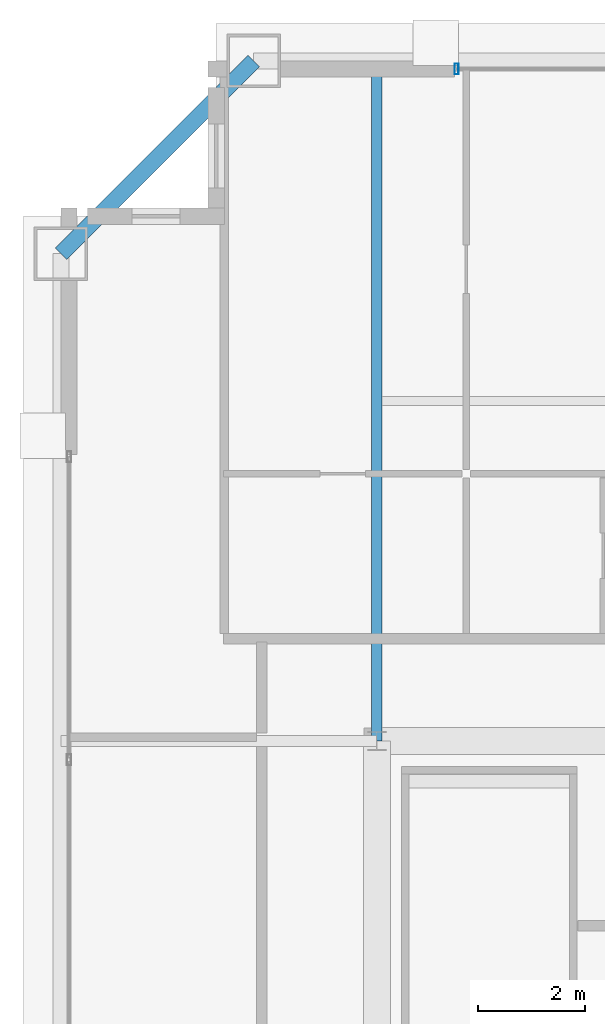
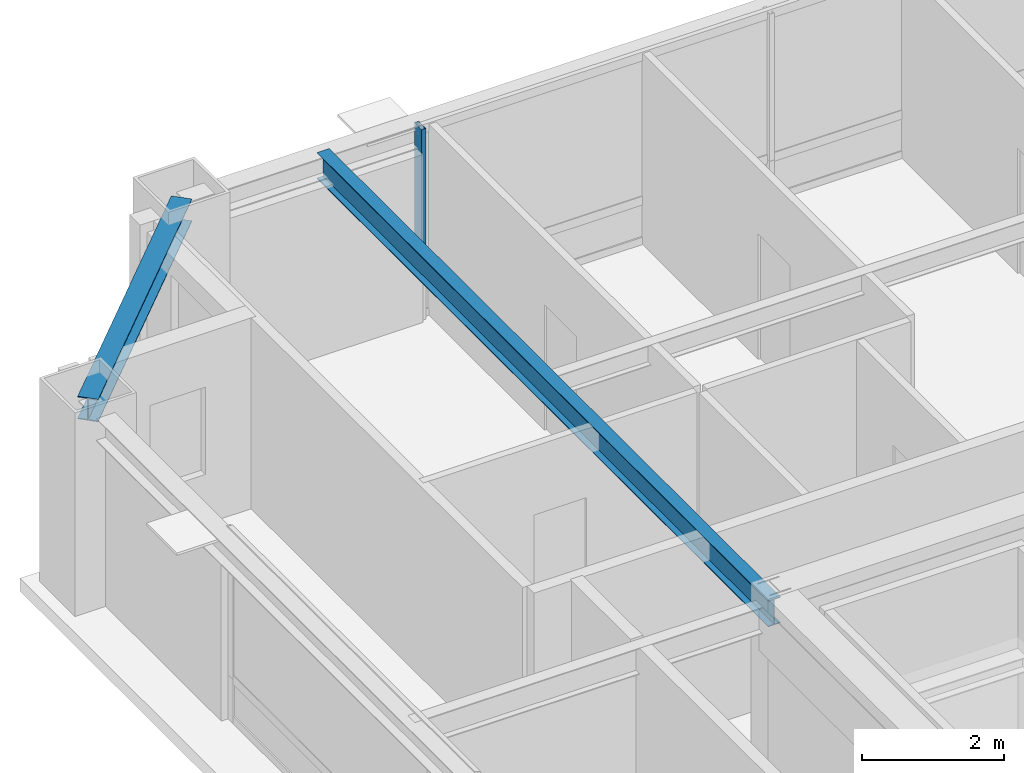
# One storey, part 16 of 35: 2 beams, 1 member, 1 element without a shape of its own.
"""IFC4 building model written with IfcOpenShell, lengths in metres."""

from ifc_helpers import new_model, si_unit, direction, frame, origin, origin_2d, place, context, subcontext, project, spatial, hollow_rectangle, i_section, extrude, source, transform, mapped, material, layer, layer_set, material_profile, profile_set, type_object, element, aggregate, save


model = new_model("IFC4")

# Units and contexts
model_context = context("Model", 3, precision=1e-05, world=origin(), true_north=direction((0.0, 1.0)))
body_context = subcontext(model_context, "Body", "Model", "MODEL_VIEW")
ifc_project = project(units=[si_unit("LENGTHUNIT", "METRE"), si_unit("AREAUNIT", "SQUARE_METRE"), si_unit("VOLUMEUNIT", "CUBIC_METRE"), si_unit("PLANEANGLEUNIT", "RADIAN"), si_unit("MASSUNIT", "GRAM", prefix="KILO"), si_unit("THERMODYNAMICTEMPERATUREUNIT", "KELVIN"), si_unit("POWERUNIT", "WATT")], contexts=[model_context])

# Site, building, storey
site_placement = place(None, origin())
site = spatial("IfcSite", under=ifc_project, at=site_placement, CompositionType="ELEMENT")
building_placement = place(site_placement, origin())
building = spatial("IfcBuilding", under=site, at=building_placement, Name="Yuzanri Waterfront Tower", CompositionType="ELEMENT")
storey_placement = place(building_placement, frame((0.0, 0.0, 289.10009765625)))
storey = spatial("IfcBuildingStorey", under=building, at=storey_placement, Name="L77", CompositionType="ELEMENT", Elevation=289.10009765625)

# Beams
ifc_material_1 = material(Name="Steel Q355B", Category="steel")
ifc_material_profile_1 = material_profile(ifc_material_1, i_section(OverallWidth=0.300048828125, OverallDepth=0.389892578125, WebThickness=0.010009765625, FlangeThickness=0.01611328125, at=origin_2d()), Name="HM 390x300x10x16")
ifc_profile_set_1 = profile_set([ifc_material_profile_1], Name="Steel Q355B")
beam_type_1 = type_object("IfcBeamType", Name="Perimeter Spandrel Q355B HM 390x300", PredefinedType="SPANDREL", material=ifc_profile_set_1)
shared_shape_1 = source(origin(), body_context, "Body", "SweptSolid", [
    extrude(i_section(OverallWidth=0.300048828125, OverallDepth=0.389892578125, WebThickness=0.010009765625, FlangeThickness=0.01611328125, at=origin_2d()), origin(), (0.0, 0.0, 1.0), 5.091064453125),
])
beam_1_placement = place(storey_placement, frame((21.5, 44.89990234375, 3.0849609375), z_axis=(-0.707130757816, -0.707082803744, 0.0), x_axis=(0.707082803744, -0.707130757816, 0.0)))
element("IfcBeam", 1, at=beam_1_placement, inside=storey, type_object=beam_type_1, Name="L77 Perimeter Spandrel N1-W3", PredefinedType="SPANDREL", context=body_context, shape_type="MappedRepresentation", body=[
    mapped(shared_shape_1, transform((0.0, 0.0, 0.0), scale=1.0)),
])
ifc_material_2 = material(Name="Steel Q355B", Category="steel")
ifc_material_profile_2 = material_profile(ifc_material_2, i_section(OverallWidth=0.199951171875, OverallDepth=0.449951171875, WebThickness=0.009033203125, FlangeThickness=0.013916015625, at=origin_2d()), Name="HN 450x200x9x14")
ifc_profile_set_2 = profile_set([ifc_material_profile_2], Name="Steel Q355B")
beam_type_2 = type_object("IfcBeamType", Name="Secondary Floor Beam Q355B HN 450x200", PredefinedType="BEAM", material=ifc_profile_set_2)
shared_shape_2 = source(origin(), body_context, "Body", "SweptSolid", [
    extrude(i_section(OverallWidth=0.199951171875, OverallDepth=0.449951171875, WebThickness=0.009033203125, FlangeThickness=0.013916015625, at=origin_2d()), origin(), (0.0, 0.0, 1.0), 12.699951171875),
])
beam_2_placement = place(storey_placement, frame((23.800048828125, 32.199951171875, 3.054931640625), z_axis=(0.0, 1.0, 0.0), x_axis=(-1.0, 0.0, 0.0)))
element("IfcBeam", 2, at=beam_2_placement, inside=storey, type_object=beam_type_2, Name="L77 North-West Core Line Beam", PredefinedType="BEAM", context=body_context, shape_type="MappedRepresentation", body=[
    mapped(shared_shape_2, transform((0.0, 0.0, 0.0), scale=1.0)),
])

# Curtain wall, member
ifc_material_3 = material(Name="Anodized Architectural Bronze", Category="metal")
ifc_layer = layer(ifc_material_3, 0.159912109375)
ifc_layer_set = layer_set([ifc_layer], Name="Anodized Architectural Bronze")
curtain_wall_type = type_object("IfcCurtainWallType", Name="Anodized Bronze High-Rise Penthouse High-Wind Unitized Curtain Wall 6900", PredefinedType="NOTDEFINED", material=ifc_layer_set)
curtain_wall_placement = place(storey_placement, origin())
curtain_wall = element("IfcCurtainWall", 3, at=curtain_wall_placement, inside=storey, type_object=curtain_wall_type, Name="L77 Curtain Wall CW-L77-NL", PredefinedType="NOTDEFINED")
ifc_material_4 = material(Name="Anodized Architectural Bronze", Category="metal")
ifc_material_profile_3 = material_profile(ifc_material_4, hollow_rectangle(XDim=0.074951171875, YDim=0.199951171875, WallThickness=0.00390625, at=origin_2d()), Name="CWM 75x200")
ifc_profile_set_3 = profile_set([ifc_material_profile_3], Name="Anodized Architectural Bronze")
member_type = type_object("IfcMemberType", Name="Anodized Bronze Primary Curtain-Wall Mullion 75x200", PredefinedType="MULLION", material=ifc_profile_set_3)
shared_shape_3 = source(origin(), body_context, "Body", "SweptSolid", [
    extrude(hollow_rectangle(XDim=0.074951171875, YDim=0.199951171875, WallThickness=0.00390625, at=origin_2d()), origin(), (0.0, 0.0, 1.0), 2.52392578125),
])
member_placement = place(storey_placement, frame((25.2900390625, 44.75, 0.755859375), z_axis=(0.0, 0.0, 1.0), x_axis=(1.0, 0.0, 0.0)))
member = element("IfcMember", 4, at=member_placement, type_object=member_type, Name="CW-L77-NL Upper Mullion 00", PredefinedType="MULLION", context=body_context, shape_type="MappedRepresentation", body=[
    mapped(shared_shape_3, transform((0.0, 0.0, 0.0), scale=1.0)),
])
aggregate(curtain_wall, [member])

save(model, "model.ifc")
